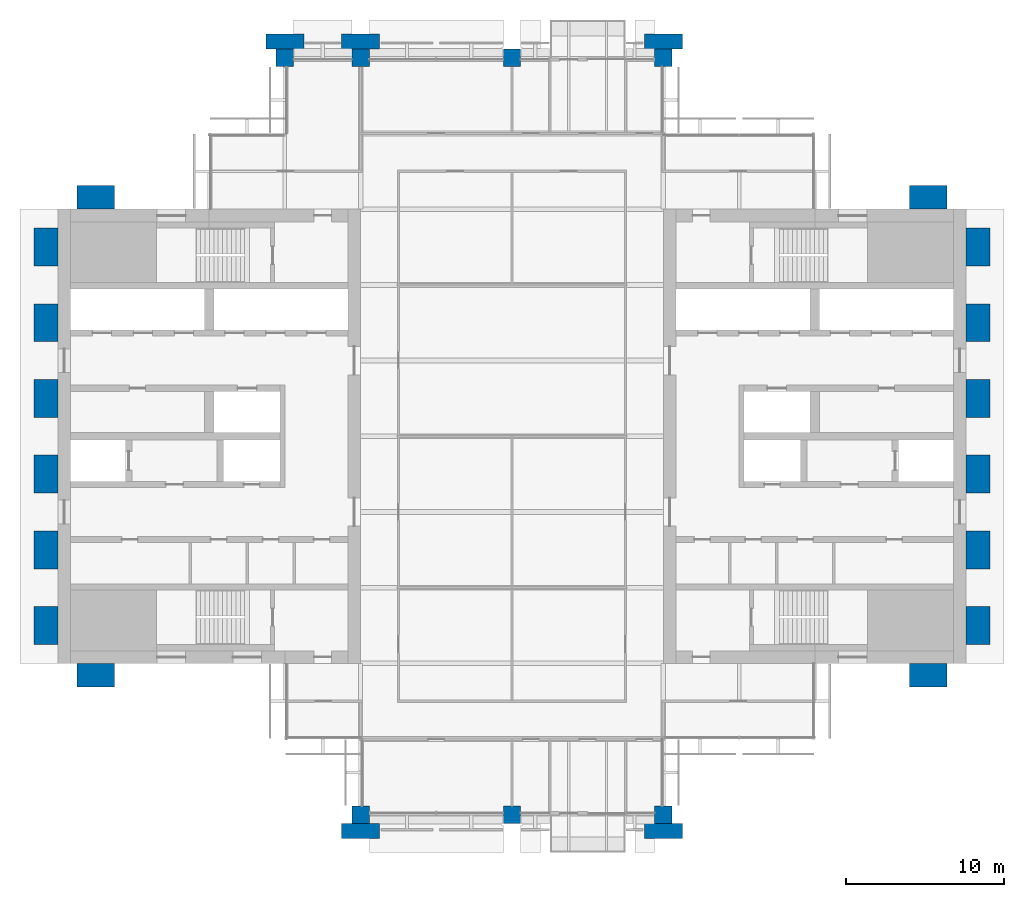
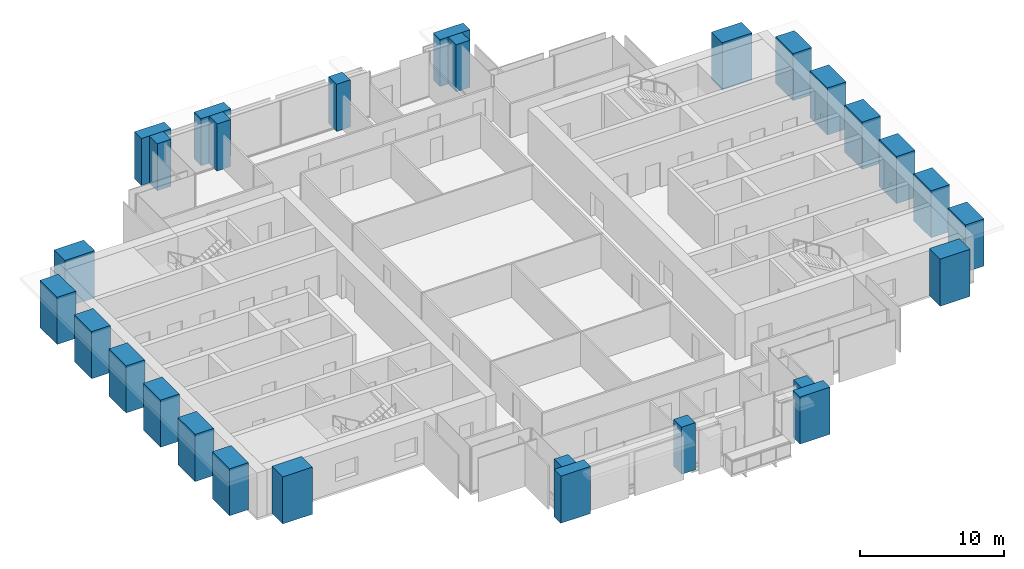
# One storey, part 1 of 14: 28 columns.
"""IFC4 building model written with IfcOpenShell, lengths in metres."""

from ifc_helpers import new_model, si_unit, direction, frame, origin, origin_2d, place, context, subcontext, project, spatial, rectangle, extrude, material, material_profile, profile_set, type_object, element, save


model = new_model("IFC4")

# Units and contexts
model_context = context("Model", 3, precision=1e-05, world=origin(), true_north=direction((0.0, 1.0)))
body_context = subcontext(model_context, "Body", "Model", "MODEL_VIEW")
ifc_project = project(units=[si_unit("LENGTHUNIT", "METRE"), si_unit("AREAUNIT", "SQUARE_METRE"), si_unit("VOLUMEUNIT", "CUBIC_METRE"), si_unit("PLANEANGLEUNIT", "RADIAN"), si_unit("MASSUNIT", "GRAM", prefix="KILO")], contexts=[model_context])

# Site, building, storey
site_placement = place(None, origin())
site = spatial("IfcSite", under=ifc_project, at=site_placement, CompositionType="ELEMENT")
building_placement = place(site_placement, origin())
building = spatial("IfcBuilding", under=site, at=building_placement, Name="Baori Bourse Tower", CompositionType="ELEMENT")
storey_placement = place(building_placement, frame((0.0, 0.0, 221.199951171875)))
storey = spatial("IfcBuildingStorey", under=building, at=storey_placement, Name="L48", CompositionType="ELEMENT", Elevation=221.199951171875)

# Columns
ifc_material_1 = material(Name="Concrete f'c 60 MPa", Category="concrete")
ifc_material_profile_1 = material_profile(ifc_material_1, rectangle(XDim=2.39990234375, YDim=0.949951171875, at=origin_2d()), Name="RC 2400x950")
ifc_profile_set_1 = profile_set([ifc_material_profile_1], Name="Concrete f'c 60 MPa")
column_type_1 = type_object("IfcColumnType", Name="FN3 Brick pilaster 2400x950", PredefinedType="PILASTER", material=ifc_profile_set_1)
for number, where, z_axis, x_axis, name in (
    (1, (19.199951171875, -1.02490234375, 0.0), (0.0, 0.0, 1.0), (1.0, 0.0, 0.0), "Brick pilaster L48 17"),
    (2, (38.39990234375, -1.02490234375, 0.0), (0.0, 0.0, 1.0), (1.0, 0.0, 0.0), "Brick pilaster L48 18"),
    (3, (14.39990234375, 49.02490234375, 0.0), (0.0, 0.0, 1.0), (1.0, 0.0, 0.0), "Brick pilaster L48 19"),
    (4, (19.199951171875, 49.02490234375, 0.0), (0.0, 0.0, 1.0), (1.0, 0.0, 0.0), "Brick pilaster L48 20"),
    (5, (38.39990234375, 49.02490234375, 0.0), (0.0, 0.0, 1.0), (1.0, 0.0, 0.0), "Brick pilaster L48 21"),
):
    element("IfcColumn", number, at=place(storey_placement, frame(where, z_axis=z_axis, x_axis=x_axis)), inside=storey, type_object=column_type_1, Name=name, PredefinedType="PILASTER", context=body_context, shape_type="SweptSolid", body=[
        extrude(rectangle(XDim=2.39990234375, YDim=0.949951171875, at=origin_2d()), origin(), (0.0, 0.0, 1.0), 4.0),
    ])
ifc_material_2 = material(Name="Concrete f'c 60 MPa", Category="concrete")
ifc_material_profile_2 = material_profile(ifc_material_2, rectangle(XDim=2.39990234375, YDim=1.5, at=origin_2d()), Name="RC 2400x1500")
ifc_profile_set_2 = profile_set([ifc_material_profile_2], Name="Concrete f'c 60 MPa")
column_type_2 = type_object("IfcColumnType", Name="FN4 Brick flank pilaster 2400x1500", PredefinedType="PILASTER", material=ifc_profile_set_2)
for number, where, z_axis, x_axis, name in (
    (6, (55.199951171875, 8.85009765625, 0.0), (0.0, 0.0, 1.0), (1.0, 0.0, 0.0), "Brick pilaster L48 1"),
    (7, (58.35009765625, 12.0, 0.0), (0.0, 0.0, 1.0), (0.0, 1.0, 0.0), "Brick pilaster L48 2"),
    (8, (58.35009765625, 16.800048828125, 0.0), (0.0, 0.0, 1.0), (0.0, 1.0, 0.0), "Brick pilaster L48 3"),
    (9, (58.35009765625, 21.60009765625, 0.0), (0.0, 0.0, 1.0), (0.0, 1.0, 0.0), "Brick pilaster L48 4"),
    (10, (58.35009765625, 26.39990234375, 0.0), (0.0, 0.0, 1.0), (0.0, 1.0, 0.0), "Brick pilaster L48 5"),
    (11, (58.35009765625, 31.199951171875, 0.0), (0.0, 0.0, 1.0), (0.0, 1.0, 0.0), "Brick pilaster L48 6"),
    (12, (58.35009765625, 36.0, 0.0), (0.0, 0.0, 1.0), (0.0, 1.0, 0.0), "Brick pilaster L48 7"),
    (13, (55.199951171875, 39.14990234375, 0.0), (0.0, 0.0, 1.0), (1.0, 0.0, 0.0), "Brick pilaster L48 8"),
    (14, (2.39990234375, 39.14990234375, 0.0), (0.0, 0.0, 1.0), (1.0, 0.0, 0.0), "Brick pilaster L48 9"),
    (15, (-0.75, 12.0, 0.0), (0.0, 0.0, 1.0), (0.0, 1.0, 0.0), "Brick pilaster L48 10"),
    (16, (-0.75, 16.800048828125, 0.0), (0.0, 0.0, 1.0), (0.0, 1.0, 0.0), "Brick pilaster L48 11"),
    (17, (-0.75, 21.60009765625, 0.0), (0.0, 0.0, 1.0), (0.0, 1.0, 0.0), "Brick pilaster L48 12"),
    (18, (-0.75, 26.39990234375, 0.0), (0.0, 0.0, 1.0), (0.0, 1.0, 0.0), "Brick pilaster L48 13"),
    (19, (-0.75, 31.199951171875, 0.0), (0.0, 0.0, 1.0), (0.0, 1.0, 0.0), "Brick pilaster L48 14"),
    (20, (-0.75, 36.0, 0.0), (0.0, 0.0, 1.0), (0.0, 1.0, 0.0), "Brick pilaster L48 15"),
    (21, (2.39990234375, 8.85009765625, 0.0), (0.0, 0.0, 1.0), (1.0, 0.0, 0.0), "Brick pilaster L48 16"),
):
    element("IfcColumn", number, at=place(storey_placement, frame(where, z_axis=z_axis, x_axis=x_axis)), inside=storey, type_object=column_type_2, Name=name, PredefinedType="PILASTER", context=body_context, shape_type="SweptSolid", body=[
        extrude(rectangle(XDim=2.39990234375, YDim=1.5, at=origin_2d()), origin(), (0.0, 0.0, 1.0), 4.0),
    ])
ifc_material_3 = material(Name="Concrete f'c 50 MPa", Category="concrete")
ifc_material_profile_3 = material_profile(ifc_material_3, rectangle(XDim=1.10009765625, YDim=1.10009765625, at=origin_2d()), Name="RC 1100x1100")
ifc_profile_set_3 = profile_set([ifc_material_profile_3], Name="Concrete f'c 50 MPa")
column_type_3 = type_object("IfcColumnType", Name="Perimeter column 50 RC 1100x1100", PredefinedType="COLUMN", material=ifc_profile_set_3)
for number, where, z_axis, x_axis, name in (
    (22, (19.199951171875, 0.0, 0.0), (0.0, 0.0, 1.0), (1.0, 0.0, 0.0), "Perimeter column L48"),
    (23, (28.800048828125, 0.0, 0.0), (0.0, 0.0, 1.0), (1.0, 0.0, 0.0), "Perimeter column L48"),
    (24, (38.39990234375, 0.0, 0.0), (0.0, 0.0, 1.0), (1.0, 0.0, 0.0), "Perimeter column L48"),
    (25, (14.39990234375, 48.0, 0.0), (0.0, 0.0, 1.0), (1.0, 0.0, 0.0), "Perimeter column L48"),
    (26, (19.199951171875, 48.0, 0.0), (0.0, 0.0, 1.0), (1.0, 0.0, 0.0), "Perimeter column L48"),
    (27, (28.800048828125, 48.0, 0.0), (0.0, 0.0, 1.0), (1.0, 0.0, 0.0), "Perimeter column L48"),
    (28, (38.39990234375, 48.0, 0.0), (0.0, 0.0, 1.0), (1.0, 0.0, 0.0), "Perimeter column L48"),
):
    element("IfcColumn", number, at=place(storey_placement, frame(where, z_axis=z_axis, x_axis=x_axis)), inside=storey, type_object=column_type_3, Name=name, PredefinedType="COLUMN", context=body_context, shape_type="SweptSolid", body=[
        extrude(rectangle(XDim=1.10009765625, YDim=1.10009765625, at=origin_2d()), origin(), (0.0, 0.0, 1.0), 4.0),
    ])

save(model, "model.ifc")
